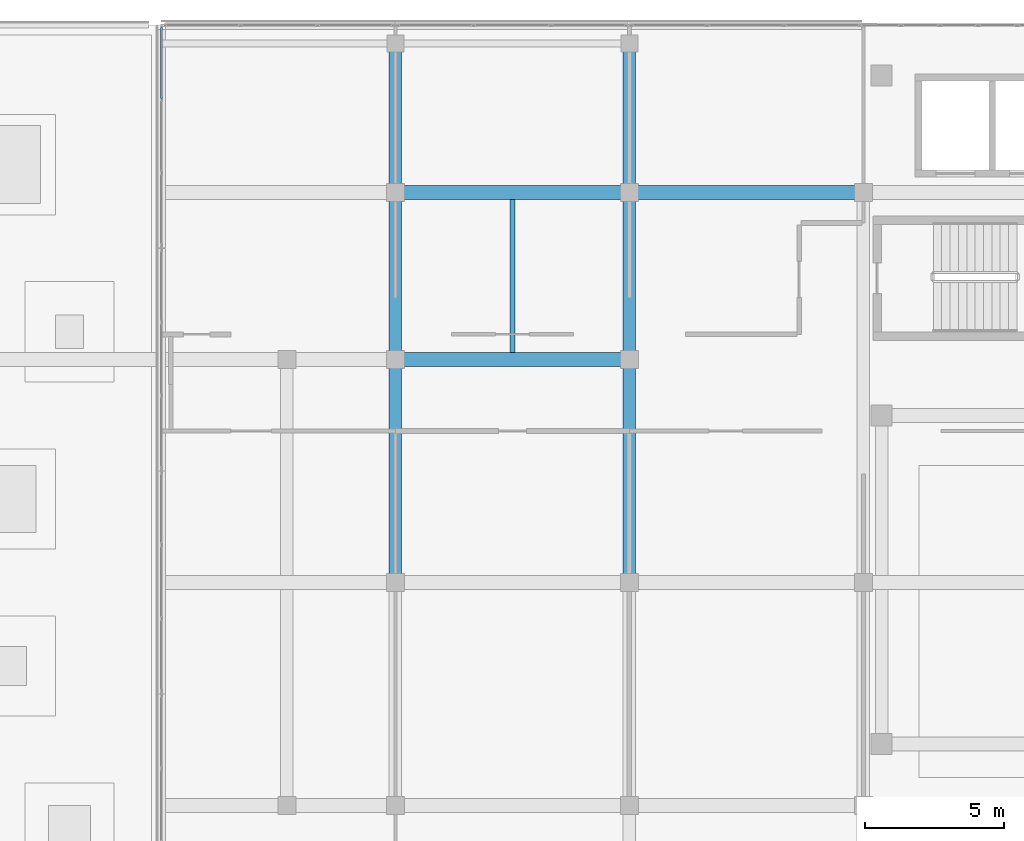
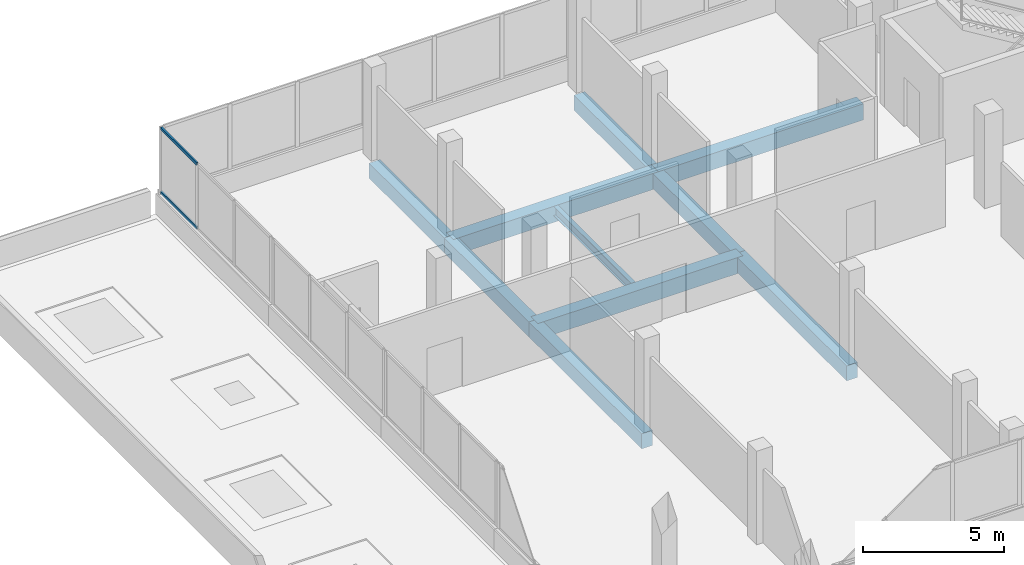
# One storey, part 24 of 78: 10 beams, 2 members, 1 element without a shape of its own.
"""IFC4 building model written with IfcOpenShell, lengths in metres."""

from ifc_helpers import new_model, si_unit, direction, frame, origin, origin_2d, place, context, subcontext, project, spatial, rectangle, hollow_rectangle, i_section, extrude, material, material_profile, profile_set, type_object, element, aggregate, save


model = new_model("IFC4")

# Units and contexts
model_context = context("Model", 3, precision=1e-05, world=origin(), true_north=direction((0.0, 1.0)))
body_context = subcontext(model_context, "Body", "Model", "MODEL_VIEW")
ifc_project = project(units=[si_unit("LENGTHUNIT", "METRE"), si_unit("AREAUNIT", "SQUARE_METRE"), si_unit("VOLUMEUNIT", "CUBIC_METRE"), si_unit("PLANEANGLEUNIT", "RADIAN"), si_unit("MASSUNIT", "GRAM", prefix="KILO")], contexts=[model_context])

# Site, building, storey
site_placement = place(None, origin())
site = spatial("IfcSite", under=ifc_project, at=site_placement, CompositionType="ELEMENT")
building_placement = place(site_placement, origin())
building = spatial("IfcBuilding", under=site, at=building_placement, Name="Selatvlak General Hospital", CompositionType="ELEMENT")
storey_placement = place(building_placement, frame((0.0, 0.0, 23.25)))
storey = spatial("IfcBuildingStorey", under=building, at=storey_placement, Name="L05", CompositionType="ELEMENT", Elevation=23.25)

# Beams
ifc_material_1 = material(Name="Concrete C40/50", Category="concrete")
ifc_material_profile_1 = material_profile(ifc_material_1, rectangle(XDim=0.5, YDim=0.699951171875, at=origin_2d()), Name="RC-BM 500x700")
ifc_profile_set_1 = profile_set([ifc_material_profile_1], Name="Concrete C40/50")
beam_type_1 = type_object("IfcBeamType", Name="BM-G03", PredefinedType="BEAM", material=ifc_profile_set_1)
for number, where, z_axis, x_axis, name in (
    (1, (31.199951171875, 108.0, -0.6298828125), (1.0, 0.0, 0.0), (0.0, 1.0, 0.0), "Beam BMR-L05-1949"),
    (2, (31.199951171875, 114.0, -0.6298828125), (1.0, 0.0, 0.0), (0.0, 1.0, 0.0), "Beam BMR-L05-1961"),
):
    element("IfcBeam", number, at=place(storey_placement, frame(where, z_axis=z_axis, x_axis=x_axis)), inside=storey, type_object=beam_type_1, Name=name, PredefinedType="BEAM", context=body_context, shape_type="SweptSolid", body=[
        extrude(rectangle(XDim=0.5, YDim=0.699951171875, at=origin_2d()), origin(), (0.0, 0.0, 1.0), 8.400146484375),
    ])
beam_1_placement = place(storey_placement, frame((39.60009765625, 114.0, -0.6298828125), z_axis=(1.0, 0.0, 0.0), x_axis=(0.0, 1.0, 0.0)))
element("IfcBeam", 3, at=beam_1_placement, inside=storey, type_object=beam_type_1, Name="Beam BMR-L05-1962", PredefinedType="BEAM", context=body_context, shape_type="SweptSolid", body=[
    extrude(rectangle(XDim=0.5, YDim=0.699951171875, at=origin_2d()), origin(), (0.0, 0.0, 1.0), 8.39990234375),
])
ifc_material_profile_2 = material_profile(ifc_material_1, rectangle(XDim=0.449951171875, YDim=0.64990234375, at=origin_2d()), Name="RC-BM 450x650")
ifc_profile_set_2 = profile_set([ifc_material_profile_2], Name="Concrete C40/50")
beam_type_2 = type_object("IfcBeamType", Name="BM-G04", PredefinedType="BEAM", material=ifc_profile_set_2)
beam_2_placement = place(storey_placement, frame((31.199951171875, 100.0, -0.60498046875), z_axis=(0.0, 1.0, 0.0), x_axis=(-1.0, 0.0, 0.0)))
element("IfcBeam", 4, at=beam_2_placement, inside=storey, type_object=beam_type_2, Name="Beam BMR-L05-1991", PredefinedType="BEAM", context=body_context, shape_type="SweptSolid", body=[
    extrude(rectangle(XDim=0.449951171875, YDim=0.64990234375, at=origin_2d()), origin(), (0.0, 0.0, 1.0), 8.0),
])
beam_3_placement = place(storey_placement, frame((31.199951171875, 108.0, -0.60498046875), z_axis=(0.0, 1.0, 0.0), x_axis=(-1.0, 0.0, 0.0)))
element("IfcBeam", 5, at=beam_3_placement, inside=storey, type_object=beam_type_2, Name="Beam BMR-L05-1992", PredefinedType="BEAM", context=body_context, shape_type="SweptSolid", body=[
    extrude(rectangle(XDim=0.449951171875, YDim=0.64990234375, at=origin_2d()), origin(), (0.0, 0.0, 1.0), 6.0),
])
beam_4_placement = place(storey_placement, frame((31.199951171875, 114.0, -0.60498046875), z_axis=(0.0, 1.0, 0.0), x_axis=(-1.0, 0.0, 0.0)))
element("IfcBeam", 6, at=beam_4_placement, inside=storey, type_object=beam_type_2, Name="Beam BMR-L05-1993", PredefinedType="BEAM", context=body_context, shape_type="SweptSolid", body=[
    extrude(rectangle(XDim=0.449951171875, YDim=0.64990234375, at=origin_2d()), origin(), (0.0, 0.0, 1.0), 5.35009765625),
])
beam_5_placement = place(storey_placement, frame((39.60009765625, 100.0, -0.60498046875), z_axis=(0.0, 1.0, 0.0), x_axis=(-1.0, 0.0, 0.0)))
element("IfcBeam", 7, at=beam_5_placement, inside=storey, type_object=beam_type_2, Name="Beam BMR-L05-1996", PredefinedType="BEAM", context=body_context, shape_type="SweptSolid", body=[
    extrude(rectangle(XDim=0.449951171875, YDim=0.64990234375, at=origin_2d()), origin(), (0.0, 0.0, 1.0), 8.0),
])
beam_6_placement = place(storey_placement, frame((39.60009765625, 108.0, -0.60498046875), z_axis=(0.0, 1.0, 0.0), x_axis=(-1.0, 0.0, 0.0)))
element("IfcBeam", 8, at=beam_6_placement, inside=storey, type_object=beam_type_2, Name="Beam BMR-L05-1997", PredefinedType="BEAM", context=body_context, shape_type="SweptSolid", body=[
    extrude(rectangle(XDim=0.449951171875, YDim=0.64990234375, at=origin_2d()), origin(), (0.0, 0.0, 1.0), 6.0),
])
beam_7_placement = place(storey_placement, frame((39.60009765625, 114.0, -0.60498046875), z_axis=(0.0, 1.0, 0.0), x_axis=(-1.0, 0.0, 0.0)))
element("IfcBeam", 9, at=beam_7_placement, inside=storey, type_object=beam_type_2, Name="Beam BMR-L05-1998", PredefinedType="BEAM", context=body_context, shape_type="SweptSolid", body=[
    extrude(rectangle(XDim=0.449951171875, YDim=0.64990234375, at=origin_2d()), origin(), (0.0, 0.0, 1.0), 5.35009765625),
])
ifc_material_2 = material(Name="Steel S355", Category="steel")
ifc_material_profile_3 = material_profile(ifc_material_2, i_section(OverallWidth=0.177978515625, OverallDepth=0.406494140625, WebThickness=0.0078125, FlangeThickness=0.0126953125, at=origin_2d()), Name="UB 406x178x60")
ifc_profile_set_3 = profile_set([ifc_material_profile_3], Name="Steel S355")
beam_type_3 = type_object("IfcBeamType", Name="BM-J04", PredefinedType="JOIST", material=ifc_profile_set_3)
beam_8_placement = place(storey_placement, frame((35.39990234375, 108.25, -0.48291015625), z_axis=(0.0, 1.0, 0.0), x_axis=(-1.0, 0.0, 0.0)))
element("IfcBeam", 10, at=beam_8_placement, inside=storey, type_object=beam_type_3, Name="Beam BMR-L05-2127", PredefinedType="JOIST", context=body_context, shape_type="SweptSolid", body=[
    extrude(i_section(OverallWidth=0.177978515625, OverallDepth=0.406494140625, WebThickness=0.0078125, FlangeThickness=0.0126953125, at=origin_2d()), origin(), (0.0, 0.0, 1.0), 5.5),
])

# Curtain wall, members
ifc_material_3 = material(Name="Solar-control Low-E double glazing", Category="glass")
curtain_wall_type = type_object("IfcCurtainWallType", Name="CW-CW-02", PredefinedType="USERDEFINED", material=ifc_material_3)
curtain_wall_placement = place(storey_placement, origin())
curtain_wall = element("IfcCurtainWall", 11, at=curtain_wall_placement, inside=storey, type_object=curtain_wall_type, Name="Glazed facade curtain wall CW-L05-0546", ObjectType="UNITISED CURTAIN WALL", PredefinedType="USERDEFINED")
ifc_material_4 = material(Name="Dark anodised aluminium mullion", Category="aluminium")
ifc_material_profile_4 = material_profile(ifc_material_4, hollow_rectangle(XDim=0.06494140625, YDim=0.1201171875, WallThickness=0.00390625, at=origin_2d()), Name="AL-TRN 65x120x4")
ifc_profile_set_4 = profile_set([ifc_material_profile_4], Name="Dark anodised aluminium mullion")
member_type = type_object("IfcMemberType", Name="CWT-01", PredefinedType="USERDEFINED", material=ifc_profile_set_4)
member_1_placement = place(storey_placement, frame((22.800048828125, 117.37646484375, 0.972412109375), z_axis=(0.0, 1.0, 0.0), x_axis=(-1.0, 0.0, 0.0)))
member_1 = element("IfcMember", 12, at=member_1_placement, type_object=member_type, Name="CW-02 transom 3.1", ObjectType="TRANSOM", PredefinedType="USERDEFINED", context=body_context, shape_type="SweptSolid", body=[
    extrude(hollow_rectangle(XDim=0.06494140625, YDim=0.1201171875, WallThickness=0.00390625, at=origin_2d()), origin(), (0.0, 0.0, 1.0), 2.54248046875),
])
member_2_placement = place(storey_placement, frame((22.800048828125, 117.37646484375, 3.742431640625), z_axis=(0.0, 1.0, 0.0), x_axis=(-1.0, 0.0, 0.0)))
member_2 = element("IfcMember", 13, at=member_2_placement, type_object=member_type, Name="CW-02 transom 3.2", ObjectType="TRANSOM", PredefinedType="USERDEFINED", context=body_context, shape_type="SweptSolid", body=[
    extrude(hollow_rectangle(XDim=0.06494140625, YDim=0.1201171875, WallThickness=0.00390625, at=origin_2d()), origin(), (0.0, 0.0, 1.0), 2.54248046875),
])
aggregate(curtain_wall, [member_1, member_2])

save(model, "model.ifc")
